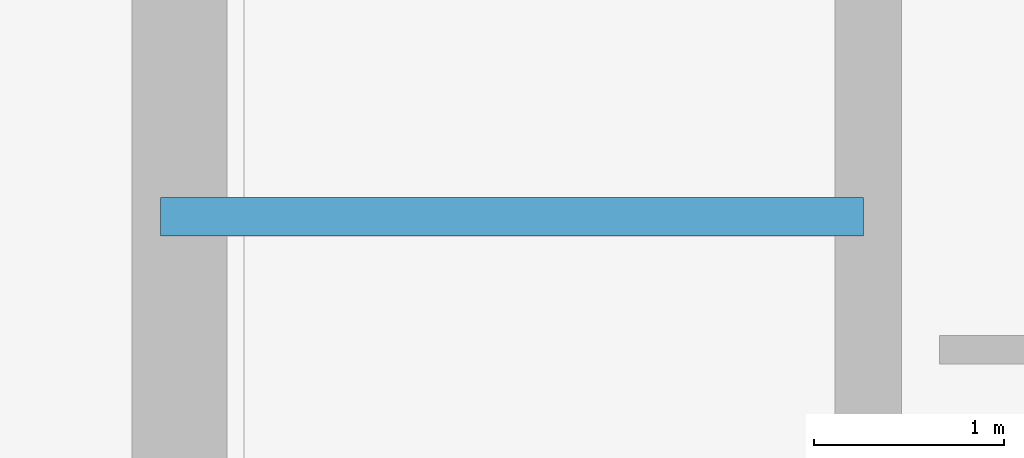
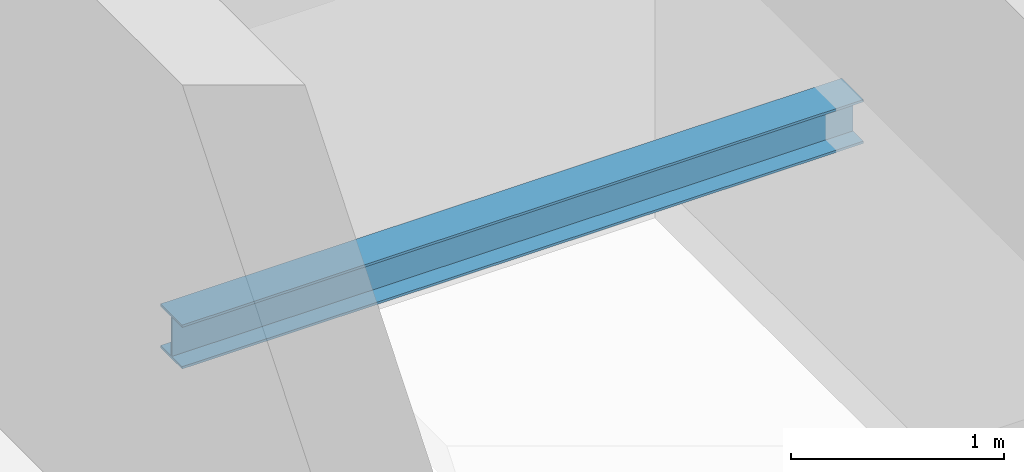
# One storey, part 15 of 32: 1 beam.
"""IFC4 building model written with IfcOpenShell, lengths in metres."""

from ifc_helpers import new_model, si_unit, direction, frame, origin, origin_2d, place, context, subcontext, project, spatial, i_section, extrude, material, material_profile, profile_set, type_object, element, save


model = new_model("IFC4")

# Units and contexts
model_context = context("Model", 3, precision=1e-05, world=origin(), true_north=direction((0.0, 1.0)))
body_context = subcontext(model_context, "Body", "Model", "MODEL_VIEW")
ifc_project = project(units=[si_unit("LENGTHUNIT", "METRE"), si_unit("AREAUNIT", "SQUARE_METRE"), si_unit("VOLUMEUNIT", "CUBIC_METRE"), si_unit("PLANEANGLEUNIT", "RADIAN"), si_unit("MASSUNIT", "GRAM", prefix="KILO")], contexts=[model_context])

# Site, building, storey
site_placement = place(None, origin())
site = spatial("IfcSite", under=ifc_project, at=site_placement, CompositionType="ELEMENT")
building_placement = place(site_placement, origin())
building = spatial("IfcBuilding", under=site, at=building_placement, Name="Veraguas Prism Commons", CompositionType="ELEMENT")
storey_placement = place(building_placement, frame((0.0, 0.0, 201.60009765625)))
storey = spatial("IfcBuildingStorey", under=building, at=storey_placement, Name="L57", CompositionType="ELEMENT", Elevation=201.60009765625)

# Beam
ifc_material = material(Name="Steel ASTM A992 Grade 50", Category="steel")
ifc_material_profile = material_profile(ifc_material, i_section(OverallWidth=0.202880859375, OverallDepth=0.251953125, WebThickness=0.008056640625, FlangeThickness=0.013427734375, at=origin_2d()), Name="W250X58")
ifc_profile_set = profile_set([ifc_material_profile], Name="Steel ASTM A992 Grade 50")
beam_type = type_object("IfcBeamType", Name="Structural Opening Lintel W250x58", PredefinedType="LINTEL", material=ifc_profile_set)
beam_placement = place(storey_placement, frame((17.25, 26.800048828125, 1.298828125), z_axis=(1.0, 0.0, 0.0), x_axis=(0.0, 1.0, 0.0)))
element("IfcBeam", 1, at=beam_placement, inside=storey, type_object=beam_type, Name="Stair ST-01 Half-Landing Support Beam L57-1", PredefinedType="LINTEL", context=body_context, shape_type="SweptSolid", body=[
    extrude(i_section(OverallWidth=0.202880859375, OverallDepth=0.251953125, WebThickness=0.008056640625, FlangeThickness=0.013427734375, at=origin_2d()), origin(), (0.0, 0.0, 1.0), 3.699951171875),
])

save(model, "model.ifc")
